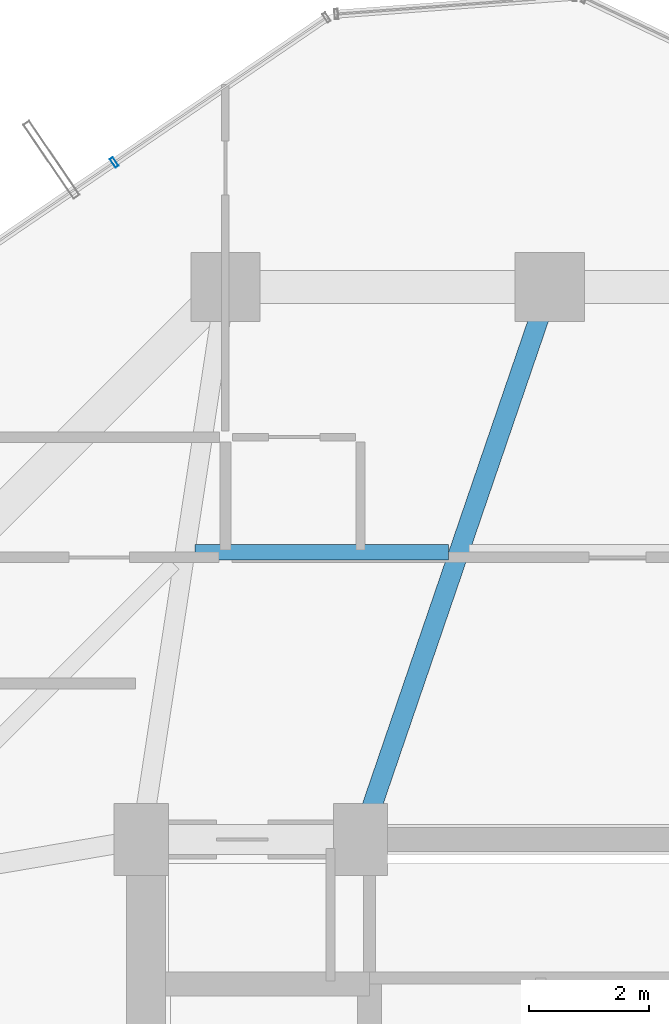
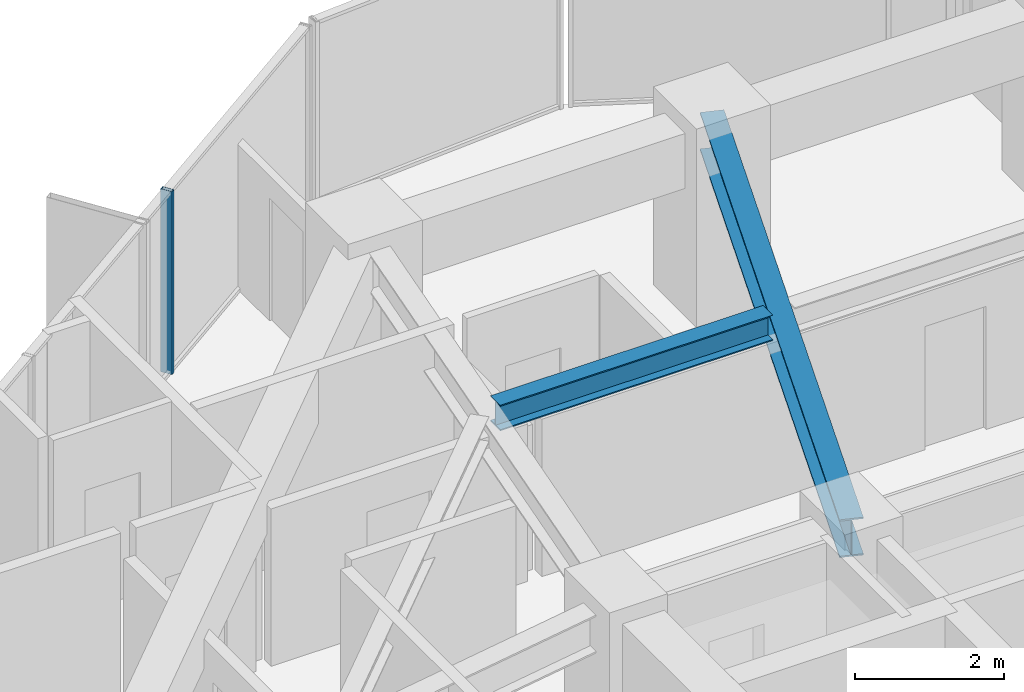
# One storey, part 23 of 35: 2 beams, 1 member, 1 element without a shape of its own.
"""IFC4 building model written with IfcOpenShell, lengths in metres."""

from ifc_helpers import new_model, si_unit, direction, frame, origin, origin_2d, place, context, subcontext, project, spatial, hollow_rectangle, i_section, extrude, source, transform, mapped, material, layer, layer_set, material_profile, profile_set, type_object, element, aggregate, save


model = new_model("IFC4")

# Units and contexts
model_context = context("Model", 3, precision=1e-05, world=origin(), true_north=direction((0.0, 1.0)))
body_context = subcontext(model_context, "Body", "Model", "MODEL_VIEW")
ifc_project = project(units=[si_unit("LENGTHUNIT", "METRE"), si_unit("AREAUNIT", "SQUARE_METRE"), si_unit("VOLUMEUNIT", "CUBIC_METRE"), si_unit("PLANEANGLEUNIT", "RADIAN"), si_unit("MASSUNIT", "GRAM", prefix="KILO")], contexts=[model_context])

# Site, building, storey
site_placement = place(None, origin())
site = spatial("IfcSite", under=ifc_project, at=site_placement, CompositionType="ELEMENT")
building_placement = place(site_placement, origin())
building = spatial("IfcBuilding", under=site, at=building_placement, Name="Veraguas Prism Commons", CompositionType="ELEMENT")
storey_placement = place(building_placement, frame((0.0, 0.0, 142.5)))
storey = spatial("IfcBuildingStorey", under=building, at=storey_placement, Name="L40", CompositionType="ELEMENT", Elevation=142.5)

# Beams
ifc_material_1 = material(Name="Steel ASTM A992 Grade 50", Category="steel")
ifc_material_profile_1 = material_profile(ifc_material_1, i_section(OverallWidth=0.260986328125, OverallDepth=0.419921875, WebThickness=0.01171875, FlangeThickness=0.019287109375, at=origin_2d()), Name="W410X114")
ifc_profile_set_1 = profile_set([ifc_material_profile_1], Name="Steel ASTM A992 Grade 50")
beam_type_1 = type_object("IfcBeamType", Name="Lower Floor Joist W410x114", PredefinedType="JOIST", material=ifc_profile_set_1)
beam_1_placement = place(storey_placement, frame((22.31689453125, 35.783935546875, 2.7900390625), z_axis=(-1.0, 0.0, 0.0), x_axis=(0.0, -1.0, 0.0)))
element("IfcBeam", 1, at=beam_1_placement, inside=storey, type_object=beam_type_1, Name="Composite Floor Joist L40-JS05", PredefinedType="JOIST", context=body_context, shape_type="SweptSolid", body=[
    extrude(i_section(OverallWidth=0.260986328125, OverallDepth=0.419921875, WebThickness=0.01171875, FlangeThickness=0.019287109375, at=origin_2d()), origin(), (0.0, 0.0, 1.0), 4.22509765625),
])
ifc_material_profile_2 = material_profile(ifc_material_1, i_section(OverallWidth=0.327880859375, OverallDepth=0.6220703125, WebThickness=0.015380859375, FlangeThickness=0.0244140625, at=origin_2d()), Name="W610X195")
ifc_profile_set_2 = profile_set([ifc_material_profile_2], Name="Steel ASTM A992 Grade 50")
beam_type_2 = type_object("IfcBeamType", Name="Zone 2 Radial Girder W610x195", PredefinedType="BEAM", material=ifc_profile_set_2)
beam_2_placement = place(storey_placement, frame((24.0, 40.199951171875, 2.68896484375), z_axis=(-0.323922482989, -0.946083624747, 0.0), x_axis=(0.946083624747, -0.323922482989, 0.0)))
element("IfcBeam", 2, at=beam_2_placement, inside=storey, type_object=beam_type_2, Name="Radial Floor Girder L40-RD05", PredefinedType="BEAM", context=body_context, shape_type="SweptSolid", body=[
    extrude(i_section(OverallWidth=0.327880859375, OverallDepth=0.6220703125, WebThickness=0.015380859375, FlangeThickness=0.0244140625, at=origin_2d()), origin(), (0.0, 0.0, 1.0), 9.724365234375),
])

# Curtain wall, member
ifc_material_2 = material(Name="Anodised aluminium EN AW-6063 T6", Category="aluminium")
ifc_layer = layer(ifc_material_2, 0.169921875, Name="Unitised Flush Curtain Wall Zone 2", Category="aluminium")
ifc_layer_set = layer_set([ifc_layer], Name="Anodised aluminium EN AW-6063 T6")
curtain_wall_type = type_object("IfcCurtainWallType", Name="Unitised Flush Curtain Wall Zone 2", PredefinedType="NOTDEFINED", material=ifc_layer_set)
curtain_wall_placement = place(storey_placement, origin())
curtain_wall = element("IfcCurtainWall", 3, at=curtain_wall_placement, inside=storey, type_object=curtain_wall_type, Name="Tower Facade Curtain Wall L40-F2", PredefinedType="NOTDEFINED")
ifc_material_profile_3 = material_profile(ifc_material_2, hollow_rectangle(XDim=0.06005859375, YDim=0.169921875, WallThickness=0.00390625, at=origin_2d()), Name="AL60X170X4")
ifc_profile_set_3 = profile_set([ifc_material_profile_3], Name="Anodised aluminium EN AW-6063 T6")
member_type = type_object("IfcMemberType", Name="Curtain Wall Mullion Lower AL 60x170x4", PredefinedType="MULLION", material=ifc_profile_set_3)
shared_shape = source(origin(), body_context, "Body", "SweptSolid", [
    extrude(hollow_rectangle(XDim=0.06005859375, YDim=0.169921875, WallThickness=0.00390625, at=origin_2d()), origin(), (0.0, 0.0, 1.0), 3.0),
])
member_placement = place(storey_placement, frame((16.74951171875, 42.274658203125, 0.0), z_axis=(0.0, 0.0, 1.0), x_axis=(-0.826097310956, -0.56352749075, 0.0)))
member = element("IfcMember", 4, at=member_placement, type_object=member_type, Name="CW-Z2 Mullion 2", PredefinedType="MULLION", context=body_context, shape_type="MappedRepresentation", body=[
    mapped(shared_shape, transform((0.0, 0.0, 0.0), scale=1.0)),
])
aggregate(curtain_wall, [member])

save(model, "model.ifc")
